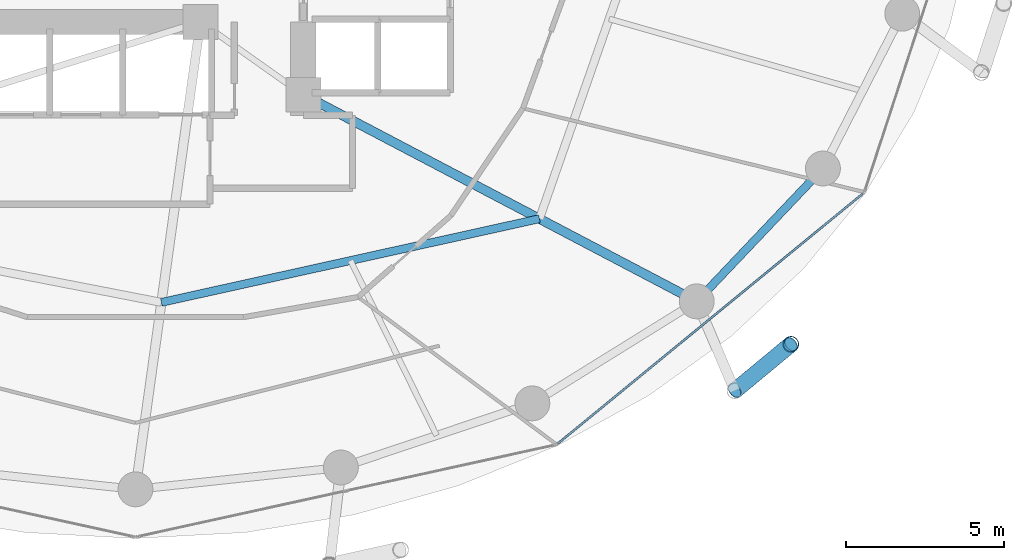
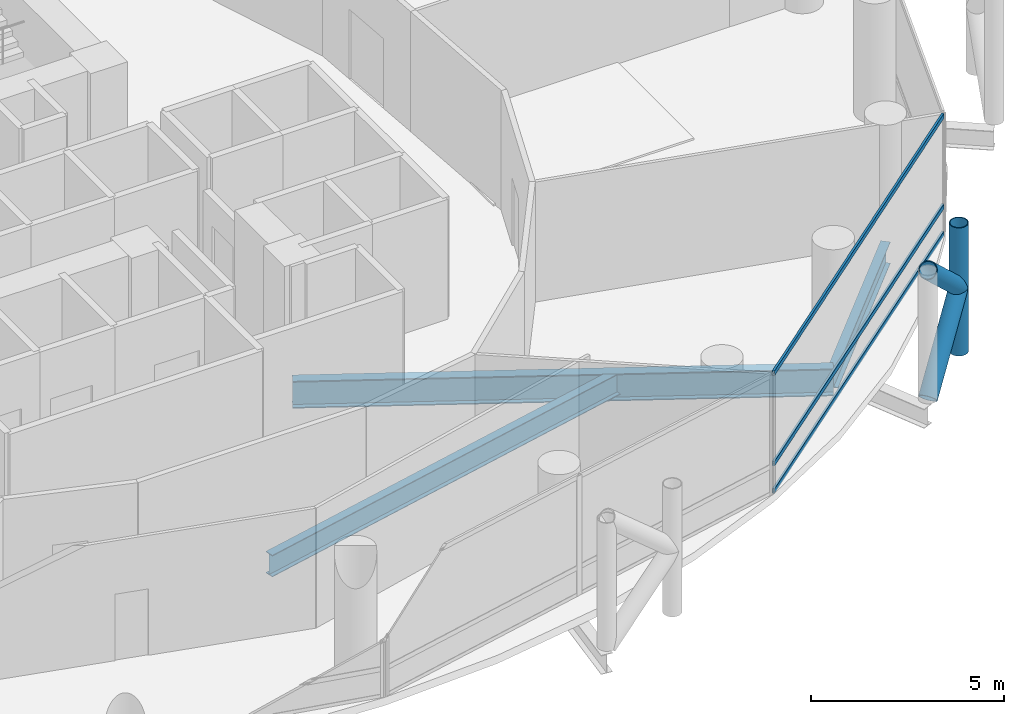
# One storey, part 9 of 24: 6 members, 3 beams, 1 element without a shape of its own.
"""IFC4 building model written with IfcOpenShell, lengths in metres."""

from ifc_helpers import new_model, si_unit, direction, frame, origin, origin_2d, place, context, subcontext, project, spatial, hollow_rectangle, hollow_circle, i_section, extrude, material, layer, layer_set, material_profile, profile_set, type_object, element, aggregate, save


model = new_model("IFC4")

# Units and contexts
model_context = context("Model", 3, precision=1e-05, world=origin(), true_north=direction((0.0, 1.0)))
body_context = subcontext(model_context, "Body", "Model", "MODEL_VIEW")
ifc_project = project(units=[si_unit("LENGTHUNIT", "METRE"), si_unit("AREAUNIT", "SQUARE_METRE"), si_unit("VOLUMEUNIT", "CUBIC_METRE"), si_unit("PLANEANGLEUNIT", "RADIAN"), si_unit("MASSUNIT", "GRAM", prefix="KILO")], contexts=[model_context])

# Site, building, storey
site_placement = place(None, origin())
site = spatial("IfcSite", under=ifc_project, at=site_placement, CompositionType="ELEMENT")
building_placement = place(site_placement, origin())
building = spatial("IfcBuilding", under=site, at=building_placement, Name="Nuhasar Tower", CompositionType="ELEMENT")
storey_placement = place(building_placement, frame((0.0, 0.0, 37.199951171875)))
storey = spatial("IfcBuildingStorey", under=building, at=storey_placement, Name="L08", CompositionType="ELEMENT", Elevation=37.199951171875)

# Beams
ifc_material_1 = material(Name="Steel S355", Category="steel")
ifc_material_profile_1 = material_profile(ifc_material_1, i_section(OverallWidth=0.25390625, OverallDepth=0.68408203125, WebThickness=0.012451171875, FlangeThickness=0.018798828125, at=origin_2d()), Name="W27X94")
ifc_profile_set_1 = profile_set([ifc_material_profile_1], Name="Steel S355")
beam_type_1 = type_object("IfcBeamType", Name="BM-INRING-W27X94", PredefinedType="BEAM", material=ifc_profile_set_1)
beam_1_placement = place(storey_placement, frame((39.820068359375, 12.449951171875, -0.60205078125), z_axis=(0.976386023343, 0.216033176665, 0.0), x_axis=(-0.216033176665, 0.976386023343, 0.0)))
element("IfcBeam", 1, at=beam_1_placement, inside=storey, type_object=beam_type_1, Name="L08 Inner Header Beam 02", PredefinedType="BEAM", context=body_context, shape_type="SweptSolid", body=[
    extrude(i_section(OverallWidth=0.25390625, OverallDepth=0.68408203125, WebThickness=0.012451171875, FlangeThickness=0.018798828125, at=origin_2d()), origin(), (0.0, 0.0, 1.0), 12.216552734375),
])
ifc_material_profile_2 = material_profile(ifc_material_1, i_section(OverallWidth=0.2919921875, OverallDepth=0.85888671875, WebThickness=0.01708984375, FlangeThickness=0.031005859375, at=origin_2d()), Name="W33X169")
ifc_profile_set_2 = profile_set([ifc_material_profile_2], Name="Steel S355")
beam_type_2 = type_object("IfcBeamType", Name="BM-POD-W33X169", PredefinedType="BEAM", material=ifc_profile_set_2)
beam_2_placement = place(storey_placement, frame((44.300048828125, 19.0, -0.68896484375), z_axis=(0.885330348705, -0.464962550816, 0.0), x_axis=(0.464962550816, 0.885330348705, 0.0)))
element("IfcBeam", 2, at=beam_2_placement, inside=storey, type_object=beam_type_2, Name="L08 Radial Floor Girder 03", PredefinedType="BEAM", context=body_context, shape_type="SweptSolid", body=[
    extrude(i_section(OverallWidth=0.2919921875, OverallDepth=0.85888671875, WebThickness=0.01708984375, FlangeThickness=0.031005859375, at=origin_2d()), origin(), (0.0, 0.0, 1.0), 14.0205078125),
])
ifc_material_profile_3 = material_profile(ifc_material_1, i_section(OverallWidth=0.256103515625, OverallDepth=0.693115234375, WebThickness=0.014404296875, FlangeThickness=0.023681640625, at=origin_2d()), Name="W27X114")
ifc_profile_set_3 = profile_set([ifc_material_profile_3], Name="Steel S355")
beam_type_3 = type_object("IfcBeamType", Name="BM-RING-W27X114", PredefinedType="SPANDREL", material=ifc_profile_set_3)
beam_3_placement = place(storey_placement, frame((56.712890625, 12.48095703125, -0.60693359375), z_axis=(0.688459812429, 0.725274490569, 0.0), x_axis=(-0.725274490569, 0.688459812429, 0.0)))
element("IfcBeam", 3, at=beam_3_placement, inside=storey, type_object=beam_type_3, Name="L08 Perimeter Ring Spandrel 22", PredefinedType="SPANDREL", context=body_context, shape_type="SweptSolid", body=[
    extrude(i_section(OverallWidth=0.256103515625, OverallDepth=0.693115234375, WebThickness=0.014404296875, FlangeThickness=0.023681640625, at=origin_2d()), origin(), (0.0, 0.0, 1.0), 5.78271484375),
])

# Curtain wall, members
ifc_material_2 = material(Name="Aluminium 6063-T6", Category="aluminium")
ifc_layer = layer(ifc_material_2, 0.199951171875)
ifc_layer_set = layer_set([ifc_layer], Name="Aluminium 6063-T6")
curtain_wall_type = type_object("IfcCurtainWallType", Name="CW-Z1-OFF", PredefinedType="NOTDEFINED", material=ifc_layer_set)
curtain_wall_placement = place(storey_placement, origin())
curtain_wall = element("IfcCurtainWall", 4, at=curtain_wall_placement, inside=storey, type_object=curtain_wall_type, Name="L08 Unitised Curtain Wall 11", PredefinedType="NOTDEFINED")
ifc_material_profile_4 = material_profile(ifc_material_2, hollow_rectangle(XDim=0.06494140625, YDim=0.14990234375, WallThickness=0.00439453125, at=origin_2d()), Name="CWT-2")
ifc_profile_set_4 = profile_set([ifc_material_profile_4], Name="Aluminium 6063-T6")
member_type_1 = type_object("IfcMemberType", Name="CW-TRN-S2", PredefinedType="USERDEFINED", material=ifc_profile_set_4)
member_1_placement = place(storey_placement, frame((52.330322265625, 7.99609375, 0.032470703125), z_axis=(0.773531229158, 0.633758185365, 0.0), x_axis=(-0.633758185365, 0.773531229158, 0.0)))
member_1 = element("IfcMember", 5, at=member_1_placement, type_object=member_type_1, Name="CW-Z1 transom 1.1", ObjectType="TRANSOM", PredefinedType="USERDEFINED", context=body_context, shape_type="SweptSolid", body=[
    extrude(hollow_rectangle(XDim=0.06494140625, YDim=0.14990234375, WallThickness=0.00439453125, at=origin_2d()), origin(), (0.0, 0.0, 1.0), 12.438232421875),
])
member_2_placement = place(storey_placement, frame((52.330322265625, 7.99609375, 0.900146484375), z_axis=(0.773531229158, 0.633758185365, 0.0), x_axis=(-0.633758185365, 0.773531229158, 0.0)))
member_2 = element("IfcMember", 6, at=member_2_placement, type_object=member_type_1, Name="CW-Z1 transom 1.2", ObjectType="TRANSOM", PredefinedType="USERDEFINED", context=body_context, shape_type="SweptSolid", body=[
    extrude(hollow_rectangle(XDim=0.06494140625, YDim=0.14990234375, WallThickness=0.00439453125, at=origin_2d()), origin(), (0.0, 0.0, 1.0), 12.438232421875),
])
member_3_placement = place(storey_placement, frame((52.330322265625, 7.99609375, 3.757568359375), z_axis=(0.773531229158, 0.633758185365, 0.0), x_axis=(-0.633758185365, 0.773531229158, 0.0)))
member_3 = element("IfcMember", 7, at=member_3_placement, type_object=member_type_1, Name="CW-Z1 transom 1.3", ObjectType="TRANSOM", PredefinedType="USERDEFINED", context=body_context, shape_type="SweptSolid", body=[
    extrude(hollow_rectangle(XDim=0.06494140625, YDim=0.14990234375, WallThickness=0.00439453125, at=origin_2d()), origin(), (0.0, 0.0, 1.0), 12.438232421875),
])
aggregate(curtain_wall, [member_1, member_2, member_3])

# Members
ifc_material_3 = material(Name="Steel S460", Category="steel")
ifc_material_profile_5 = material_profile(ifc_material_3, hollow_circle(Radius=0.25390625, WallThickness=0.025390625, at=origin_2d()), Name="HSS508X25.4")
ifc_profile_set_5 = profile_set([ifc_material_profile_5], Name="Steel S460")
member_type_2 = type_object("IfcMemberType", Name="EXO-BRONZE-508", PredefinedType="BRACE", material=ifc_profile_set_5)
member_4_placement = place(storey_placement, frame((59.68505859375, 11.12890625, 0.0), z_axis=(0.0, 0.0, 1.0), x_axis=(1.0, 0.0, 0.0)))
element("IfcMember", 8, at=member_4_placement, inside=storey, type_object=member_type_2, Name="L08 Exoskeleton Chord Column EC-11B", PredefinedType="BRACE", context=body_context, shape_type="SweptSolid", body=[
    extrude(hollow_circle(Radius=0.25390625, WallThickness=0.025390625, at=origin_2d()), origin(), (0.0, 0.0, 1.0), 4.050048828125),
])
member_5_placement = place(storey_placement, frame((57.9130859375, 9.660888671875, 0.0), z_axis=(0.578071194894, 0.478911834514, 0.660664172175), x_axis=(-0.637969333506, 0.770061769929, 0.0)))
element("IfcMember", 9, at=member_5_placement, inside=storey, type_object=member_type_2, Name="L08 Bronze Diagrid Brace W1-11", PredefinedType="BRACE", context=body_context, shape_type="SweptSolid", body=[
    extrude(hollow_circle(Radius=0.25390625, WallThickness=0.025390625, at=origin_2d()), origin(), (0.0, 0.0, 1.0), 3.0654296875),
])
member_6_placement = place(storey_placement, frame((59.68505859375, 11.12890625, 2.025146484375), z_axis=(-0.578101613167, -0.478937034992, 0.660619286251), x_axis=(0.637969333506, -0.770061769929, 0.0)))
element("IfcMember", 10, at=member_6_placement, inside=storey, type_object=member_type_2, Name="L08 Bronze Diagrid Brace W2-11", PredefinedType="BRACE", context=body_context, shape_type="SweptSolid", body=[
    extrude(hollow_circle(Radius=0.25390625, WallThickness=0.025390625, at=origin_2d()), origin(), (0.0, 0.0, 1.0), 3.065185546875),
])

save(model, "model.ifc")
